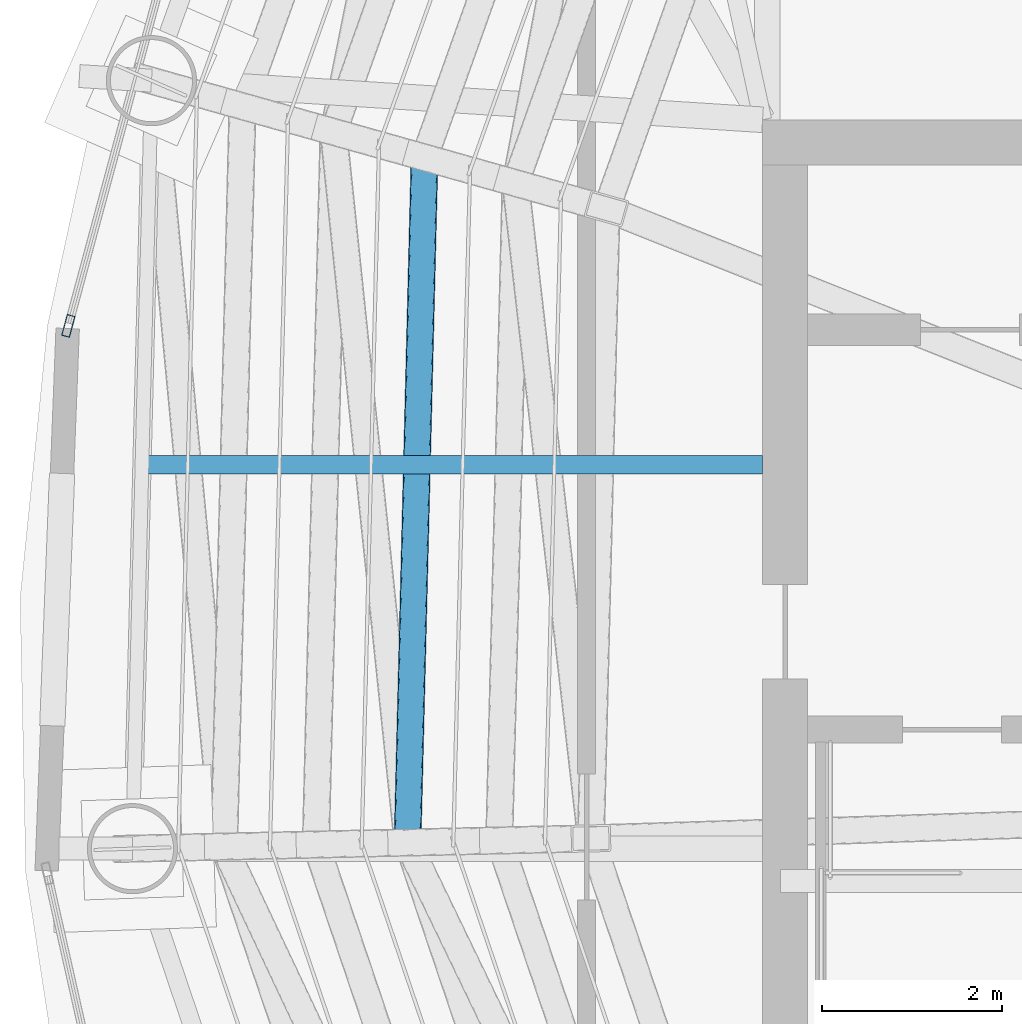
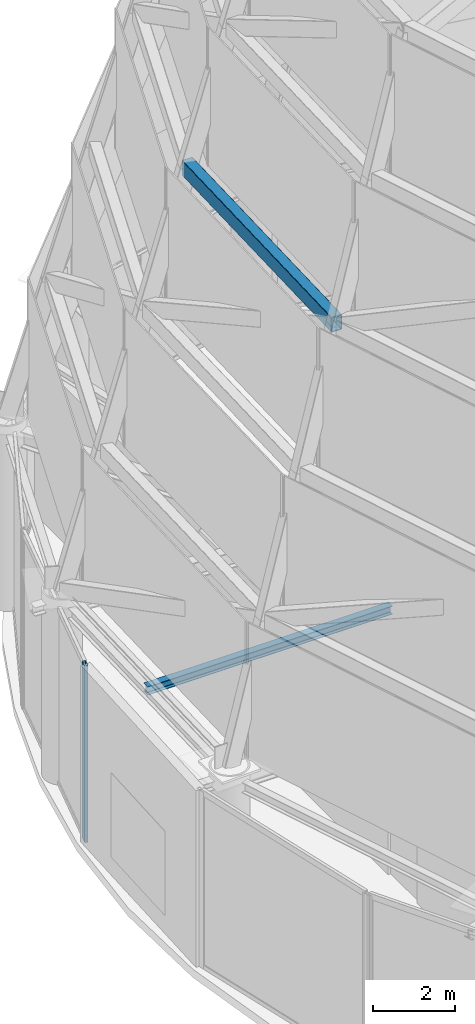
# One storey, part 13 of 40: 2 members, 1 beam, 1 element without a shape of its own.
"""IFC4 building model written with IfcOpenShell, lengths in metres."""

from ifc_helpers import new_model, si_unit, direction, frame, origin, origin_2d, place, context, subcontext, project, spatial, hollow_rectangle, i_section, extrude, material, layer, layer_set, material_profile, profile_set, type_object, element, aggregate, save


model = new_model("IFC4")

# Units and contexts
model_context = context("Model", 3, precision=1e-05, world=origin(), true_north=direction((0.0, 1.0)))
body_context = subcontext(model_context, "Body", "Model", "MODEL_VIEW")
ifc_project = project(units=[si_unit("LENGTHUNIT", "METRE"), si_unit("AREAUNIT", "SQUARE_METRE"), si_unit("VOLUMEUNIT", "CUBIC_METRE"), si_unit("PLANEANGLEUNIT", "RADIAN"), si_unit("MASSUNIT", "GRAM", prefix="KILO")], contexts=[model_context])

# Site, building, storey
site_placement = place(None, origin())
site = spatial("IfcSite", under=ifc_project, at=site_placement, CompositionType="ELEMENT")
building_placement = place(site_placement, origin())
building = spatial("IfcBuilding", under=site, at=building_placement, Name="Bramvorn Convention Spire", CompositionType="ELEMENT")
storey_placement = place(building_placement, frame((0.0, 0.0, 312.5)))
storey = spatial("IfcBuildingStorey", under=building, at=storey_placement, Name="L79", CompositionType="ELEMENT", Elevation=312.5)

# Beam
ifc_material_1 = material(Name="Steel CSA G40.21 Grade 350 (350W)", Category="steel")
ifc_material_profile_1 = material_profile(ifc_material_1, i_section(OverallWidth=0.201904296875, OverallDepth=0.2470703125, WebThickness=0.00732421875, FlangeThickness=0.010986328125, FilletRadius=0.011962890625, at=origin_2d()))
ifc_profile_set_1 = profile_set([ifc_material_profile_1], Name="Steel CSA G40.21 Grade 350 (350W) - W250X49")
beam_type = type_object("IfcBeamType", Name="BM-W250X49", PredefinedType="JOIST", material=ifc_profile_set_1)
beam_placement = place(storey_placement, frame((26.75, 29.626953125, 5.12646484375), z_axis=(-1.0, 0.0, 0.0), x_axis=(0.0, -1.0, 0.0)))
element("IfcBeam", 1, at=beam_placement, inside=storey, type_object=beam_type, Name="L79 composite floor joist 11", PredefinedType="JOIST", context=body_context, shape_type="SweptSolid", body=[
    extrude(i_section(OverallWidth=0.201904296875, OverallDepth=0.2470703125, WebThickness=0.00732421875, FlangeThickness=0.010986328125, FilletRadius=0.011962890625, at=origin_2d()), origin(), (0.0, 0.0, 1.0), 6.879150390625),
])

# Curtain wall, member
ifc_material_2 = material(Name="Anodised Bronze Unitised Curtain Wall", Category="aluminium")
ifc_layer = layer(ifc_material_2, 0.199951171875)
ifc_layer_set = layer_set([ifc_layer], Name="Anodised Bronze Unitised Curtain Wall - CW-CROWN-SPIRE")
curtain_wall_type = type_object("IfcCurtainWallType", Name="CW-CROWN-SPIRE", PredefinedType="USERDEFINED", material=ifc_layer_set)
curtain_wall_placement = place(storey_placement, origin())
curtain_wall = element("IfcCurtainWall", 2, at=curtain_wall_placement, inside=storey, type_object=curtain_wall_type, Name="L79 fritted glass curtain wall 16", ObjectType="UNITISED CURTAIN WALL", PredefinedType="USERDEFINED")
ifc_material_3 = material(Name="Anodised Bronze Aluminium 6063-T6", Category="aluminium")
ifc_material_profile_2 = material_profile(ifc_material_3, hollow_rectangle(XDim=0.090087890625, YDim=0.239990234375, WallThickness=0.00439453125, InnerFilletRadius=0.0009765625, OuterFilletRadius=0.00439453125, at=origin_2d()))
ifc_profile_set_2 = profile_set([ifc_material_profile_2], Name="Anodised Bronze Aluminium 6063-T6 - CWM90X240")
member_type_1 = type_object("IfcMemberType", Name="CW-MUL-220", PredefinedType="MULLION", material=ifc_profile_set_2)
member_1_placement = place(storey_placement, frame((19.054931640625, 31.1650390625, 0.0), z_axis=(0.0, 0.0, 1.0), x_axis=(-0.965618064415, 0.259964908545, 0.0)))
member_1 = element("IfcMember", 3, at=member_1_placement, type_object=member_type_1, Name="CW6 mullion 1", PredefinedType="MULLION", context=body_context, shape_type="SweptSolid", body=[
    extrude(hollow_rectangle(XDim=0.090087890625, YDim=0.239990234375, WallThickness=0.00439453125, InnerFilletRadius=0.0009765625, OuterFilletRadius=0.00439453125, at=origin_2d()), origin(), (0.0, 0.0, 1.0), 5.25),
])
aggregate(curtain_wall, [member_1])

# Member
ifc_material_profile_3 = material_profile(ifc_material_1, hollow_rectangle(XDim=0.300048828125, YDim=0.449951171875, WallThickness=0.02001953125, InnerFilletRadius=0.00390625, OuterFilletRadius=0.02392578125, at=origin_2d()))
ifc_profile_set_3 = profile_set([ifc_material_profile_3], Name="Steel CSA G40.21 Grade 350 (350W) - CROWN450X300X20")
member_type_2 = type_object("IfcMemberType", Name="MBR-CROWN450X300X20", PredefinedType="USERDEFINED", material=ifc_profile_set_3)
member_2_placement = place(storey_placement, frame((23.0029296875, 33.031982421875, 17.5), z_axis=(-0.02478099312, -0.999692904036, 0.0), x_axis=(0.999692904036, -0.02478099312, 0.0)))
element("IfcMember", 4, at=member_2_placement, inside=storey, type_object=member_type_2, Name="Crown spire CROWN FRAME ring beam T3-11", ObjectType="CROWN FRAME", PredefinedType="USERDEFINED", context=body_context, shape_type="SweptSolid", body=[
    extrude(hollow_rectangle(XDim=0.300048828125, YDim=0.449951171875, WallThickness=0.02001953125, InnerFilletRadius=0.00390625, OuterFilletRadius=0.02392578125, at=origin_2d()), origin(), (0.0, 0.0, 1.0), 7.595947265625),
])

save(model, "model.ifc")
